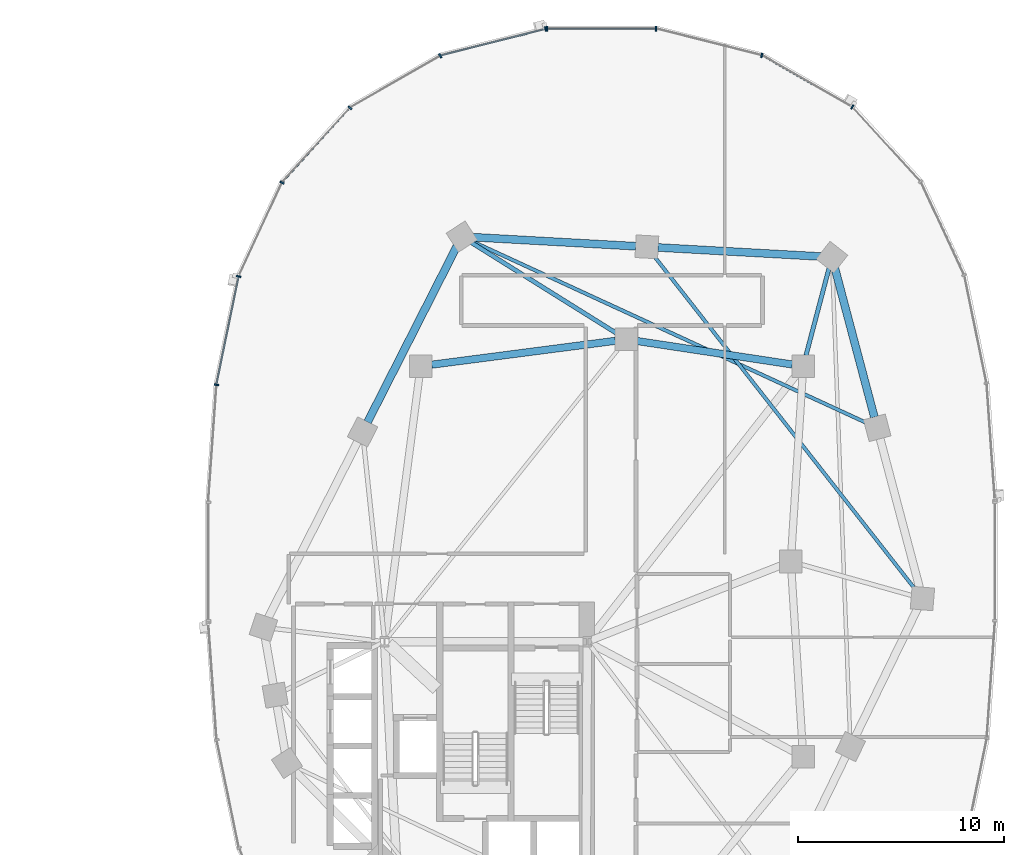
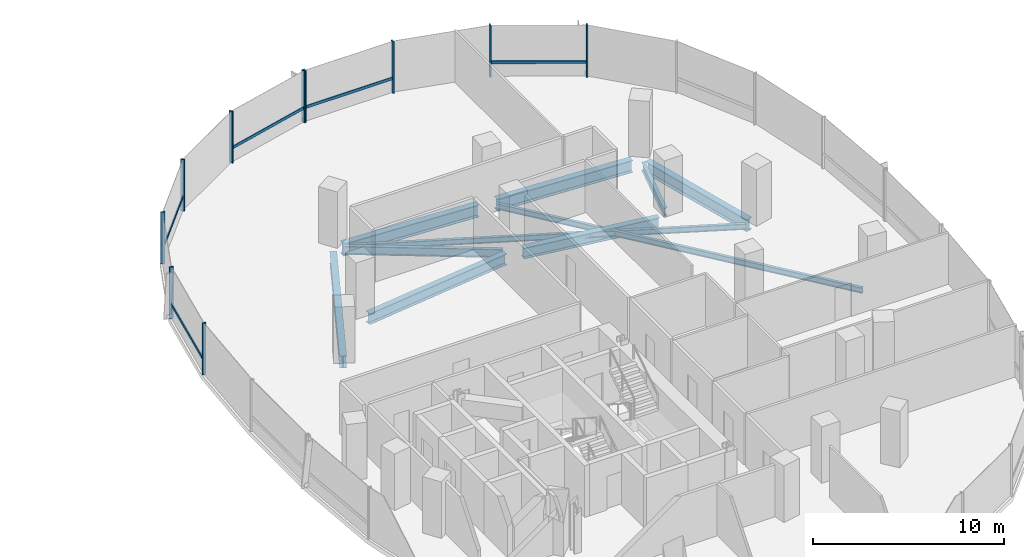
# One storey, part 7 of 21: 15 members, 10 beams, 2 elements without a shape of their own.
"""IFC4 building model written with IfcOpenShell, lengths in metres."""

from ifc_helpers import new_model, si_unit, direction, frame, origin, origin_2d, place, context, subcontext, project, spatial, rectangle, i_section, extrude, material, material_profile, profile_set, type_object, element, aggregate, save


model = new_model("IFC4")

# Units and contexts
model_context = context("Model", 3, precision=1e-05, world=origin(), true_north=direction((0.0, 1.0)))
body_context = subcontext(model_context, "Body", "Model", "MODEL_VIEW")
ifc_project = project(units=[si_unit("LENGTHUNIT", "METRE"), si_unit("AREAUNIT", "SQUARE_METRE"), si_unit("VOLUMEUNIT", "CUBIC_METRE"), si_unit("PLANEANGLEUNIT", "RADIAN"), si_unit("MASSUNIT", "GRAM", prefix="KILO"), si_unit("THERMODYNAMICTEMPERATUREUNIT", "KELVIN"), si_unit("POWERUNIT", "WATT")], contexts=[model_context])

# Site, building, storey
site_placement = place(None, origin())
site = spatial("IfcSite", under=ifc_project, at=site_placement, CompositionType="ELEMENT")
building_placement = place(site_placement, origin())
building = spatial("IfcBuilding", under=site, at=building_placement, Name="Cundina Bronze Exchange", CompositionType="ELEMENT")
storey_placement = place(building_placement, frame((0.0, 0.0, 89.0)))
storey = spatial("IfcBuildingStorey", under=building, at=storey_placement, Name="L22", CompositionType="ELEMENT", Elevation=89.0)

# Beams
ifc_material_1 = material(Name="Steel ASTM A992 Grade 50", Category="steel")
ifc_material_profile_1 = material_profile(ifc_material_1, i_section(OverallWidth=0.2099609375, OverallDepth=0.532958984375, WebThickness=0.01025390625, FlangeThickness=0.015625, FilletRadius=0.013916015625, at=origin_2d()), Name="W21X62", Category="steel")
ifc_profile_set_1 = profile_set([ifc_material_profile_1], Name="Steel ASTM A992 Grade 50")
beam_type_1 = type_object("IfcBeamType", Name="BM-FLR-W21B", PredefinedType="BEAM", material=ifc_profile_set_1)
beam_1_placement = place(storey_placement, frame((41.9375, 10.020263671875, -0.56640625), z_axis=(0.255357891402, 0.966846599673, 0.0), x_axis=(-0.966846599673, 0.255357891402, 0.0)))
element("IfcBeam", 1, at=beam_1_placement, inside=storey, type_object=beam_type_1, Name="L22 Leg E Chordal Floor Beam 10", PredefinedType="BEAM", context=body_context, shape_type="SweptSolid", body=[
    extrude(i_section(OverallWidth=0.2099609375, OverallDepth=0.532958984375, WebThickness=0.01025390625, FlangeThickness=0.015625, FilletRadius=0.013916015625, at=origin_2d()), origin(), (0.0, 0.0, 1.0), 4.405517578125),
])
beam_2_placement = place(storey_placement, frame((32.743896484375, 11.085205078125, -0.56640625), z_axis=(-0.848003227047, 0.529991063055, 0.0), x_axis=(-0.529991063055, -0.848003227047, 0.0)))
element("IfcBeam", 2, at=beam_2_placement, inside=storey, type_object=beam_type_1, Name="L22 Leg E Chordal Floor Beam 12", PredefinedType="BEAM", context=body_context, shape_type="SweptSolid", body=[
    extrude(i_section(OverallWidth=0.2099609375, OverallDepth=0.532958984375, WebThickness=0.01025390625, FlangeThickness=0.015625, FilletRadius=0.013916015625, at=origin_2d()), origin(), (0.0, 0.0, 1.0), 8.358154296875),
])
ifc_material_profile_2 = material_profile(ifc_material_1, i_section(OverallWidth=0.172119140625, OverallDepth=0.35791015625, WebThickness=0.0078125, FlangeThickness=0.01318359375, FilletRadius=0.010009765625, at=origin_2d()), Name="W14X38", Category="steel")
ifc_profile_set_2 = profile_set([ifc_material_profile_2], Name="Steel ASTM A992 Grade 50")
beam_type_2 = type_object("IfcBeamType", Name="BM-JST-W14", PredefinedType="JOIST", material=ifc_profile_set_2)
beam_3_placement = place(storey_placement, frame((47.268310546875, -1.37646484375, -0.47900390625), z_axis=(-0.616815348306, 0.787107887201, 0.0), x_axis=(-0.787107887201, -0.616815348306, 0.0)))
element("IfcBeam", 3, at=beam_3_placement, inside=storey, type_object=beam_type_2, Name="L22 Leg E Lobe Floor Joist 08-11", PredefinedType="JOIST", context=body_context, shape_type="SweptSolid", body=[
    extrude(i_section(OverallWidth=0.172119140625, OverallDepth=0.35791015625, WebThickness=0.0078125, FlangeThickness=0.01318359375, FilletRadius=0.010009765625, at=origin_2d()), origin(), (0.0, 0.0, 1.0), 20.64892578125),
])
beam_4_placement = place(storey_placement, frame((44.911376953125, 6.72509765625, -0.47900390625), z_axis=(-0.908357076874, 0.41819543385, 0.0), x_axis=(-0.41819543385, -0.908357076874, 0.0)))
element("IfcBeam", 4, at=beam_4_placement, inside=storey, type_object=beam_type_2, Name="L22 Leg E Lobe Floor Joist 09-12", PredefinedType="JOIST", context=body_context, shape_type="SweptSolid", body=[
    extrude(i_section(OverallWidth=0.172119140625, OverallDepth=0.35791015625, WebThickness=0.0078125, FlangeThickness=0.01318359375, FilletRadius=0.010009765625, at=origin_2d()), origin(), (0.0, 0.0, 1.0), 21.162109375),
])
ifc_material_profile_3 = material_profile(ifc_material_1, i_section(OverallWidth=0.35498046875, OverallDepth=0.695068359375, WebThickness=0.015380859375, FlangeThickness=0.02490234375, FilletRadius=0.01806640625, at=origin_2d()), Name="W27X146", Category="steel")
ifc_profile_set_3 = profile_set([ifc_material_profile_3], Name="Steel ASTM A992 Grade 50")
beam_type_3 = type_object("IfcBeamType", Name="BM-RING-W27", PredefinedType="USERDEFINED", material=ifc_profile_set_3)
beam_5_placement = place(storey_placement, frame((41.26806640625, 9.580322265625, -0.6474609375), z_axis=(-0.988767489563, 0.149461873341, 0.0), x_axis=(-0.149461873341, -0.988767489563, 0.0)))
element("IfcBeam", 5, at=beam_5_placement, inside=storey, type_object=beam_type_3, Name="L22 E Inner Structural Ring Girder 05", ObjectType="GIRDER", PredefinedType="USERDEFINED", context=body_context, shape_type="SweptSolid", body=[
    extrude(i_section(OverallWidth=0.35498046875, OverallDepth=0.695068359375, WebThickness=0.015380859375, FlangeThickness=0.02490234375, FilletRadius=0.01806640625, at=origin_2d()), origin(), (0.0, 0.0, 1.0), 7.621826171875),
])
beam_6_placement = place(storey_placement, frame((32.66650390625, 10.730712890625, -0.6474609375), z_axis=(-0.991654577907, -0.128923225666, 0.0), x_axis=(0.128923225666, -0.991654577907, 0.0)))
element("IfcBeam", 6, at=beam_6_placement, inside=storey, type_object=beam_type_3, Name="L22 E Inner Structural Ring Girder 06", ObjectType="GIRDER", PredefinedType="USERDEFINED", context=body_context, shape_type="SweptSolid", body=[
    extrude(i_section(OverallWidth=0.35498046875, OverallDepth=0.695068359375, WebThickness=0.015380859375, FlangeThickness=0.02490234375, FilletRadius=0.01806640625, at=origin_2d()), origin(), (0.0, 0.0, 1.0), 9.00830078125),
])
ifc_material_profile_4 = material_profile(ifc_material_1, i_section(OverallWidth=0.381103515625, OverallDepth=0.77294921875, WebThickness=0.0166015625, FlangeThickness=0.027099609375, FilletRadius=0.01904296875, at=origin_2d()), Name="W30X173", Category="steel")
ifc_profile_set_4 = profile_set([ifc_material_profile_4], Name="Steel ASTM A992 Grade 50")
beam_type_4 = type_object("IfcBeamType", Name="BM-RING-W30", PredefinedType="USERDEFINED", material=ifc_profile_set_4)
beam_7_placement = place(storey_placement, frame((45.26220703125, 7.02001953125, -0.6865234375), z_axis=(-0.256209719931, 0.966621218168, 0.0), x_axis=(-0.966621218168, -0.256209719931, 0.0)))
element("IfcBeam", 7, at=beam_7_placement, inside=storey, type_object=beam_type_4, Name="L22 E Perimeter Ring Girder 09", ObjectType="GIRDER", PredefinedType="USERDEFINED", context=body_context, shape_type="SweptSolid", body=[
    extrude(i_section(OverallWidth=0.381103515625, OverallDepth=0.77294921875, WebThickness=0.0166015625, FlangeThickness=0.027099609375, FilletRadius=0.01904296875, at=origin_2d()), origin(), (0.0, 0.0, 1.0), 7.5107421875),
])
for number, where, z_axis, x_axis, name in (
    (8, (42.662841796875, 14.829833984375, -0.6865234375), (-0.99845950136, 0.055485350721, 0.0), (-0.055485350721, -0.99845950136, 0.0), "L22 E Perimeter Ring Girder 10"),
    (9, (33.662841796875, 15.329833984375, -0.6865234375), (-0.99845950136, 0.055485350721, 0.0), (-0.055485350721, -0.99845950136, 0.0), "L22 E Perimeter Ring Girder 11"),
):
    element("IfcBeam", number, at=place(storey_placement, frame(where, z_axis=z_axis, x_axis=x_axis)), inside=storey, type_object=beam_type_4, Name=name, ObjectType="GIRDER", PredefinedType="USERDEFINED", context=body_context, shape_type="SweptSolid", body=[
        extrude(i_section(OverallWidth=0.381103515625, OverallDepth=0.77294921875, WebThickness=0.0166015625, FlangeThickness=0.027099609375, FilletRadius=0.01904296875, at=origin_2d()), origin(), (0.0, 0.0, 1.0), 7.937744140625),
    ])
beam_8_placement = place(storey_placement, frame((24.956298828125, 15.3203125, -0.6865234375), z_axis=(-0.452832332744, -0.891595692241, 0.0), x_axis=(0.891595692241, -0.452832332744, 0.0)))
element("IfcBeam", 10, at=beam_8_placement, inside=storey, type_object=beam_type_4, Name="L22 E Perimeter Ring Girder 12", ObjectType="GIRDER", PredefinedType="USERDEFINED", context=body_context, shape_type="SweptSolid", body=[
    extrude(i_section(OverallWidth=0.381103515625, OverallDepth=0.77294921875, WebThickness=0.0166015625, FlangeThickness=0.027099609375, FilletRadius=0.01904296875, at=origin_2d()), origin(), (0.0, 0.0, 1.0), 9.578857421875),
])

# Curtain wall, members
ifc_material_2 = material(Name="Anodised Bronze Aluminium 6063-T6", Category="aluminium")
curtain_wall_type = type_object("IfcCurtainWallType", Name="CWS-TRD-MID", PredefinedType="NOTDEFINED", material=ifc_material_2)
curtain_wall_1_placement = place(storey_placement, origin())
curtain_wall_1 = element("IfcCurtainWall", 11, at=curtain_wall_1_placement, inside=storey, type_object=curtain_wall_type, Name="L22 CW-03 Curtain Wall Run CWR-L22-E1", PredefinedType="NOTDEFINED")
ifc_material_profile_5 = material_profile(ifc_material_2, rectangle(XDim=0.074951171875, YDim=0.219970703125, at=origin_2d()), Name="AL75X220", Category="aluminium")
ifc_profile_set_5 = profile_set([ifc_material_profile_5], Name="Anodised Bronze Aluminium 6063-T6")
member_type_1 = type_object("IfcMemberType", Name="CWM-MUL-220", PredefinedType="MULLION", material=ifc_profile_set_5)
member_1_placement = place(storey_placement, frame((44.189697265625, 22.097412109375, 0.0), z_axis=(0.0, 0.0, 1.0), x_axis=(-0.867070701164, 0.498185105339, 0.0)))
member_1 = element("IfcMember", 12, at=member_1_placement, type_object=member_type_1, Name="CW-03 Mullion 5", PredefinedType="MULLION", context=body_context, shape_type="SweptSolid", body=[
    extrude(rectangle(XDim=0.074951171875, YDim=0.219970703125, at=origin_2d()), origin(), (0.0, 0.0, 1.0), 3.300048828125),
])
member_2_placement = place(storey_placement, frame((39.78515625, 24.61669921875, 0.0), z_axis=(0.0, 0.0, 1.0), x_axis=(-0.969488149345, 0.245138182011, 0.0)))
member_2 = element("IfcMember", 13, at=member_2_placement, type_object=member_type_1, Name="CW-03 Mullion 6", PredefinedType="MULLION", context=body_context, shape_type="SweptSolid", body=[
    extrude(rectangle(XDim=0.074951171875, YDim=0.219970703125, at=origin_2d()), origin(), (0.0, 0.0, 1.0), 3.300048828125),
])
member_3_placement = place(storey_placement, frame((34.654541015625, 25.905029296875, 0.0), z_axis=(0.0, 0.0, 1.0), x_axis=(-1.0, 0.0, 0.0)))
member_3 = element("IfcMember", 14, at=member_3_placement, type_object=member_type_1, Name="CW-03 Mullion 7", PredefinedType="MULLION", context=body_context, shape_type="SweptSolid", body=[
    extrude(rectangle(XDim=0.074951171875, YDim=0.219970703125, at=origin_2d()), origin(), (0.0, 0.0, 1.0), 3.300048828125),
])
member_4_placement = place(storey_placement, frame((29.345458984375, 25.905029296875, 0.0), z_axis=(0.0, 0.0, 1.0), x_axis=(-1.0, 0.0, 0.0)))
member_4 = element("IfcMember", 15, at=member_4_placement, type_object=member_type_1, Name="CW-03 End Mullion", PredefinedType="MULLION", context=body_context, shape_type="SweptSolid", body=[
    extrude(rectangle(XDim=0.074951171875, YDim=0.219970703125, at=origin_2d()), origin(), (0.0, 0.0, 1.0), 3.300048828125),
])

curtain_wall_2_placement = place(storey_placement, origin())
curtain_wall_2 = element("IfcCurtainWall", 16, at=curtain_wall_2_placement, inside=storey, type_object=curtain_wall_type, Name="L22 CW-03 Curtain Wall Run CWR-L22-E2", PredefinedType="NOTDEFINED")
member_5_placement = place(storey_placement, frame((29.27392578125, 25.89599609375, 0.0), z_axis=(0.0, 0.0, 1.0), x_axis=(-0.969488149345, -0.245138182011, 0.0)))
member_5 = element("IfcMember", 17, at=member_5_placement, type_object=member_type_1, Name="CW-03 Mullion 1", PredefinedType="MULLION", context=body_context, shape_type="SweptSolid", body=[
    extrude(rectangle(XDim=0.074951171875, YDim=0.219970703125, at=origin_2d()), origin(), (0.0, 0.0, 1.0), 3.300048828125),
])
member_6_placement = place(storey_placement, frame((24.151123046875, 24.591064453125, 0.0), z_axis=(0.0, 0.0, 1.0), x_axis=(-0.867070701164, -0.498185105339, 0.0)))
member_6 = element("IfcMember", 18, at=member_6_placement, type_object=member_type_1, Name="CW-03 Mullion 2", PredefinedType="MULLION", context=body_context, shape_type="SweptSolid", body=[
    extrude(rectangle(XDim=0.074951171875, YDim=0.219970703125, at=origin_2d()), origin(), (0.0, 0.0, 1.0), 3.300048828125),
])
member_7_placement = place(storey_placement, frame((19.760498046875, 22.0576171875, 0.0), z_axis=(0.0, 0.0, 1.0), x_axis=(-0.674302387584, -0.738455340626, 0.0)))
member_7 = element("IfcMember", 19, at=member_7_placement, type_object=member_type_1, Name="CW-03 Mullion 3", PredefinedType="MULLION", context=body_context, shape_type="SweptSolid", body=[
    extrude(rectangle(XDim=0.074951171875, YDim=0.219970703125, at=origin_2d()), origin(), (0.0, 0.0, 1.0), 3.300048828125),
])
member_8_placement = place(storey_placement, frame((16.455810546875, 18.423583984375, 0.0), z_axis=(0.0, 0.0, 1.0), x_axis=(-0.42087749791, -0.907117485088, 0.0)))
member_8 = element("IfcMember", 20, at=member_8_placement, type_object=member_type_1, Name="CW-03 Mullion 4", PredefinedType="MULLION", context=body_context, shape_type="SweptSolid", body=[
    extrude(rectangle(XDim=0.074951171875, YDim=0.219970703125, at=origin_2d()), origin(), (0.0, 0.0, 1.0), 3.300048828125),
])
member_9_placement = place(storey_placement, frame((14.348876953125, 13.861328125, 0.0), z_axis=(0.0, 0.0, 1.0), x_axis=(-0.201419845156, -0.979505000486, 0.0)))
member_9 = element("IfcMember", 21, at=member_9_placement, type_object=member_type_1, Name="CW-03 Mullion 5", PredefinedType="MULLION", context=body_context, shape_type="SweptSolid", body=[
    extrude(rectangle(XDim=0.074951171875, YDim=0.219970703125, at=origin_2d()), origin(), (0.0, 0.0, 1.0), 3.300048828125),
])
member_10_placement = place(storey_placement, frame((13.27099609375, 8.591552734375, 0.0), z_axis=(0.0, 0.0, 1.0), x_axis=(-0.070278787473, -0.997527389113, 0.0)))
member_10 = element("IfcMember", 22, at=member_10_placement, type_object=member_type_1, Name="CW-03 Mullion 6", PredefinedType="MULLION", context=body_context, shape_type="SweptSolid", body=[
    extrude(rectangle(XDim=0.074951171875, YDim=0.219970703125, at=origin_2d()), origin(), (0.0, 0.0, 1.0), 3.300048828125),
])

# Member
ifc_material_profile_6 = material_profile(ifc_material_2, rectangle(XDim=0.070068359375, YDim=0.179931640625, at=origin_2d()), Name="AL70X180", Category="aluminium")
ifc_profile_set_6 = profile_set([ifc_material_profile_6], Name="Anodised Bronze Aluminium 6063-T6")
member_type_2 = type_object("IfcMemberType", Name="CWM-TRN-180", PredefinedType="USERDEFINED", material=ifc_profile_set_6)
member_11_placement = place(storey_placement, frame((44.154052734375, 22.117919921875, 0.919921875), z_axis=(-0.867097475651, 0.498138502546, 0.0), x_axis=(-0.498138502546, -0.867097475651, 0.0)))
member_11 = element("IfcMember", 23, at=member_11_placement, type_object=member_type_2, Name="CW-03 Spandrel Transom 5", ObjectType="TRANSOM", PredefinedType="USERDEFINED", context=body_context, shape_type="SweptSolid", body=[
    extrude(rectangle(XDim=0.070068359375, YDim=0.179931640625, at=origin_2d()), origin(), (0.0, 0.0, 1.0), 5.00634765625),
])

member_12_placement = place(storey_placement, frame((34.61328125, 25.905029296875, 0.919921875), z_axis=(-1.0, 0.0, 0.0), x_axis=(0.0, -1.0, 0.0)))
member_12 = element("IfcMember", 24, at=member_12_placement, type_object=member_type_2, Name="CW-03 Spandrel Transom 7", ObjectType="TRANSOM", PredefinedType="USERDEFINED", context=body_context, shape_type="SweptSolid", body=[
    extrude(rectangle(XDim=0.070068359375, YDim=0.179931640625, at=origin_2d()), origin(), (0.0, 0.0, 1.0), 5.2265625),
])

aggregate(curtain_wall_1, [member_1, member_11, member_2, member_3, member_4, member_12])

member_13_placement = place(storey_placement, frame((29.23388671875, 25.885986328125, 0.919921875), z_axis=(-0.969483968866, -0.245154714644, 0.0), x_axis=(0.245154714644, -0.969483968866, 0.0)))
member_13 = element("IfcMember", 25, at=member_13_placement, type_object=member_type_2, Name="CW-03 Spandrel Transom 1", ObjectType="TRANSOM", PredefinedType="USERDEFINED", context=body_context, shape_type="SweptSolid", body=[
    extrude(rectangle(XDim=0.070068359375, YDim=0.179931640625, at=origin_2d()), origin(), (0.0, 0.0, 1.0), 5.21826171875),
])

member_14_placement = place(storey_placement, frame((19.73291015625, 22.027099609375, 0.919921875), z_axis=(-0.674302794847, -0.738454968743, 0.0), x_axis=(0.738454968743, -0.674302794847, 0.0)))
member_14 = element("IfcMember", 26, at=member_14_placement, type_object=member_type_2, Name="CW-03 Spandrel Transom 3", ObjectType="TRANSOM", PredefinedType="USERDEFINED", context=body_context, shape_type="SweptSolid", body=[
    extrude(rectangle(XDim=0.070068359375, YDim=0.179931640625, at=origin_2d()), origin(), (0.0, 0.0, 1.0), 4.848388671875),
])

member_15_placement = place(storey_placement, frame((14.340576171875, 13.821044921875, 0.919921875), z_axis=(-0.201427712708, -0.979503382615, 0.0), x_axis=(0.979503382615, -0.201427712708, 0.0)))
member_15 = element("IfcMember", 27, at=member_15_placement, type_object=member_type_2, Name="CW-03 Spandrel Transom 5", ObjectType="TRANSOM", PredefinedType="USERDEFINED", context=body_context, shape_type="SweptSolid", body=[
    extrude(rectangle(XDim=0.070068359375, YDim=0.179931640625, at=origin_2d()), origin(), (0.0, 0.0, 1.0), 5.291748046875),
])

aggregate(curtain_wall_2, [member_5, member_13, member_6, member_7, member_14, member_8, member_9, member_15, member_10])

save(model, "model.ifc")
